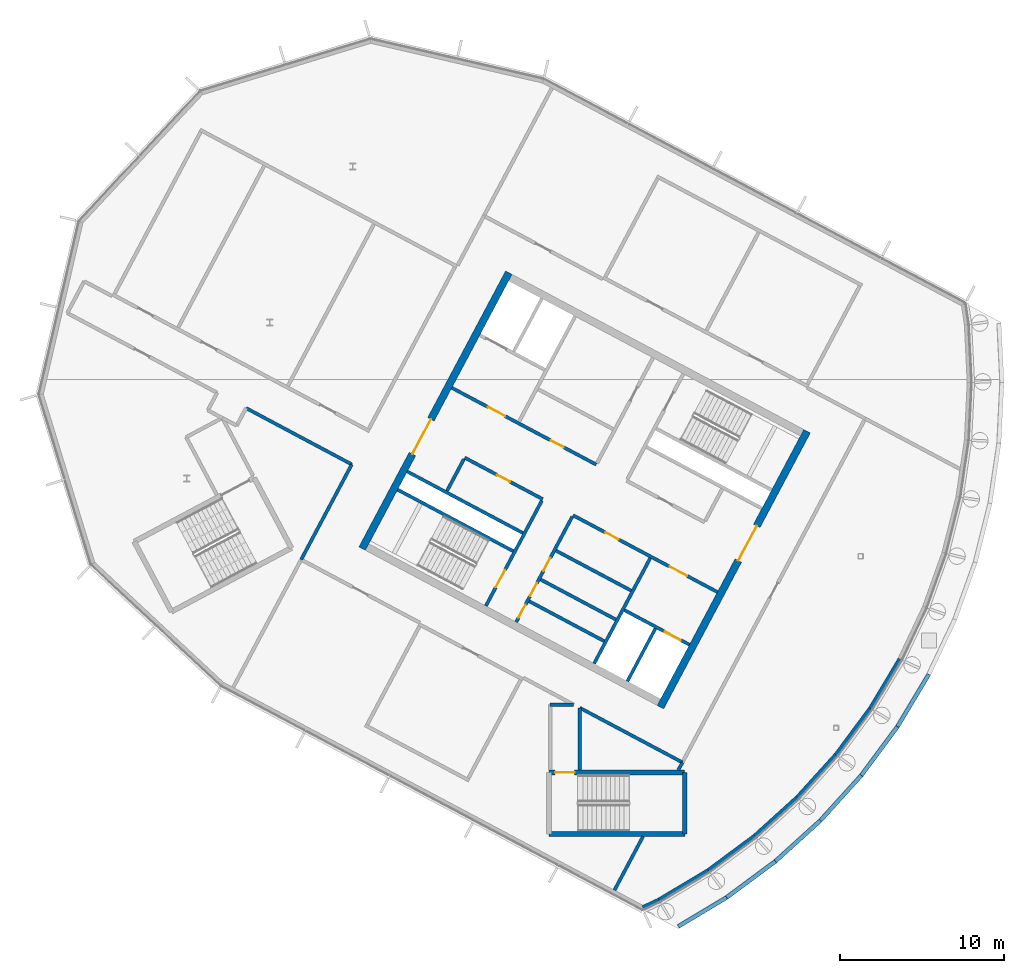
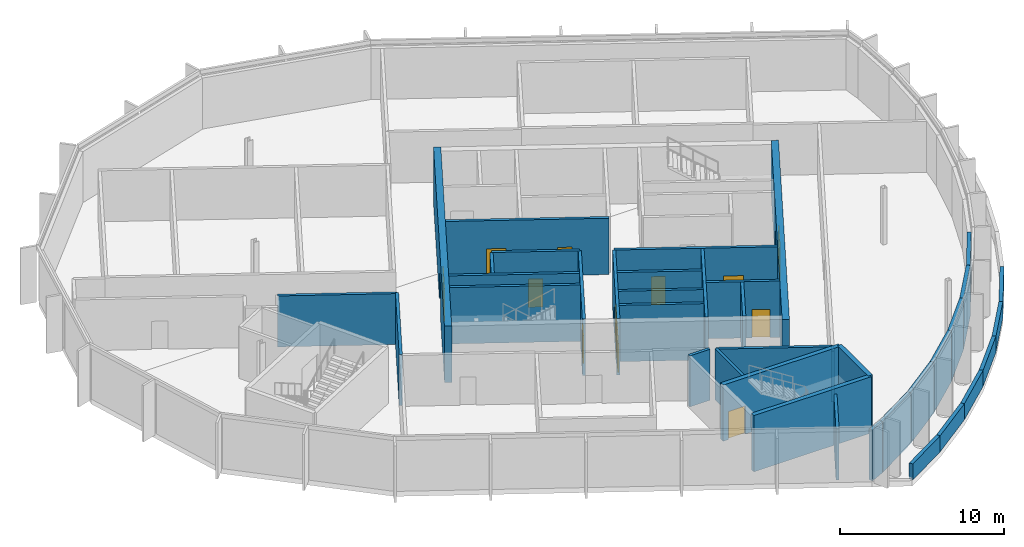
# One storey, part 6 of 12: 39 walls, 13 doors, 13 openings.
"""IFC4 building model written with IfcOpenShell, lengths in metres."""

import ifcopenshell
import ifcopenshell.guid

model = None  # the IFC model being written
_history = None  # IfcOwnerHistory: only IFC2X3 demands one
_inside = {}  # id of a spatial element -> (the spatial element, [elements in it])
_under = {}  # id of a project, library or spatial element -> (it, [spatial elements below it])
_declared = {}  # id of a project -> (the project, [libraries it declares])
_typed = {}  # id of a type object -> (the type object, [elements of that type])
_made_of = {}  # id of a material, layer set ... -> (it, [elements and type objects made of it])


def new_model(schema):
    """Start an empty IFC model of exactly this schema.

    Asked for "IFC4X3", IfcOpenShell would pick the latest addendum, in which some entities
    have other attributes; the version numbers below select the first issue.
    IFC2X3 requires an IfcOwnerHistory on every rooted entity: one is made here for all.
    """
    global model, _history
    if schema == "IFC4X3":
        model = ifcopenshell.file(schema_version=(4, 3, 0, 0))
    else:
        model = ifcopenshell.file(schema=schema)
    _inside.clear()
    _under.clear()
    _declared.clear()
    _typed.clear()
    _made_of.clear()
    _history = None
    if model.schema == "IFC2X3":
        org = make("IfcOrganization", Name="unknown")
        user = make(
            "IfcPersonAndOrganization",
            ThePerson=make("IfcPerson", FamilyName="unknown"),
            TheOrganization=org,
        )
        app = make(
            "IfcApplication",
            ApplicationDeveloper=org,
            Version="unknown",
            ApplicationFullName="unknown",
            ApplicationIdentifier="unknown",
        )
        _history = make(
            "IfcOwnerHistory",
            OwningUser=user,
            OwningApplication=app,
            ChangeAction="ADDED",
            CreationDate=0,
        )
    return model


def make(cls, **values):
    """One entity of the class cls with the attributes given. An attribute that is None is left unset."""
    return model.create_entity(
        cls, **{name: value for name, value in values.items() if value is not None}
    )


def rooted(cls, **values):
    """An entity with a GlobalId (a new one), such as an element, a storey or a relation."""
    return make(cls, GlobalId=ifcopenshell.guid.new(), OwnerHistory=_history, **values)


def si_unit(unit_type, name, prefix=None):
    """IfcSIUnit, for example si_unit("LENGTHUNIT", "METRE", prefix="MILLI")."""
    return make("IfcSIUnit", UnitType=unit_type, Prefix=prefix, Name=name)


def assignment(units):
    """IfcUnitAssignment: the units of a project."""
    return None if units is None else make("IfcUnitAssignment", Units=units)


def point(xyz):
    """IfcCartesianPoint."""
    return None if xyz is None else make("IfcCartesianPoint", Coordinates=xyz)


def direction(xyz):
    """IfcDirection."""
    return None if xyz is None else make("IfcDirection", DirectionRatios=xyz)


def frame(location, z_axis=None, x_axis=None):
    """IfcAxis2Placement3D, a coordinate frame: its origin and axes. An axis left out is left unset."""
    return make(
        "IfcAxis2Placement3D",
        Location=point(location),
        Axis=direction(z_axis),
        RefDirection=direction(x_axis),
    )


def frame_2d(location, x_axis=None):
    """IfcAxis2Placement2D, a coordinate frame in the plane: its origin and x axis."""
    return make(
        "IfcAxis2Placement2D", Location=point(location), RefDirection=direction(x_axis)
    )


def origin():
    """The frame at (0, 0, 0) with its axes left unset."""
    return frame((0.0, 0.0, 0.0))


def place(relative_to, where):
    """IfcLocalPlacement: puts the frame where relative to a parent placement (None: the world)."""
    return make(
        "IfcLocalPlacement", PlacementRelTo=relative_to, RelativePlacement=where
    )


def context(
    kind, dimensions, precision=None, world=None, true_north=None, identifier=None
):
    """IfcGeometricRepresentationContext, for example the 3D "Model" context."""
    return make(
        "IfcGeometricRepresentationContext",
        ContextIdentifier=identifier,
        ContextType=kind,
        CoordinateSpaceDimension=dimensions,
        Precision=precision,
        WorldCoordinateSystem=world,
        TrueNorth=true_north,
    )


def subcontext(parent, identifier, kind, view, scale=None):
    """IfcGeometricRepresentationSubContext, for example "Body" below "Model"."""
    return make(
        "IfcGeometricRepresentationSubContext",
        ContextIdentifier=identifier,
        ContextType=kind,
        ParentContext=parent,
        TargetScale=scale,
        TargetView=view,
    )


def project(units=None, contexts=None):
    """IfcProject with its units and contexts."""
    return rooted(
        "IfcProject",
        Name="project",
        RepresentationContexts=contexts,
        UnitsInContext=assignment(units),
    )


def spatial(cls, under=None, at=None, **own):
    """A site, building, storey or space (cls), placed at a placement, below another one or the project."""
    s = rooted(cls, ObjectPlacement=at, **own)
    if under is not None:
        _under.setdefault(under.id(), (under, []))[1].append(s)
    return s


def profile(cls, at=None, kind="AREA", **sizes):
    """A parametric profile (cls). Its sizes go by their IFC names, for example OverallWidth=200.0."""
    return make(cls, ProfileType=kind, Position=at, **sizes)


def rectangle(**sizes):
    """IfcRectangleProfileDef."""
    return profile("IfcRectangleProfileDef", **sizes)


def extrude(swept, where, along, depth):
    """IfcExtrudedAreaSolid: the profile swept, set in the frame where, extruded along a direction by depth."""
    return make(
        "IfcExtrudedAreaSolid",
        SweptArea=swept,
        Position=where,
        ExtrudedDirection=direction(along),
        Depth=depth,
    )


def shape(context_of_items, identifier, shape_type, items):
    """IfcShapeRepresentation: the items that make up one representation, for example the "Body"."""
    return make(
        "IfcShapeRepresentation",
        ContextOfItems=context_of_items,
        RepresentationIdentifier=identifier,
        RepresentationType=shape_type,
        Items=items,
    )


def material(Name=None, Category=None):
    """IfcMaterial."""
    return make("IfcMaterial", Name=Name, Category=Category)


def layer(
    of_material, thickness, ventilated=None, Name=None, Category=None, Priority=None
):
    """IfcMaterialLayer: one layer of a wall or slab, of a material (None: an air gap)."""
    return make(
        "IfcMaterialLayer",
        Material=of_material,
        LayerThickness=thickness,
        IsVentilated=ventilated,
        Name=Name,
        Category=Category,
        Priority=Priority,
    )


def layer_set(layers, Name=None):
    """IfcMaterialLayerSet."""
    return make("IfcMaterialLayerSet", MaterialLayers=layers, LayerSetName=Name)


def made_of(thing, what):
    """Note that an element or type object is made of a material, layer set ...; save() writes the relation."""
    if what is not None:
        _made_of.setdefault(what.id(), (what, []))[1].append(thing)
    return thing


def type_object(cls, material=None, **own):
    """A type object (cls), such as IfcWallType, which elements share."""
    return made_of(rooted(cls, **own), material)


def element(
    cls,
    number,
    at=None,
    inside=None,
    cuts=None,
    type_object=None,
    material=None,
    context=None,
    identifier="Body",
    shape_type=None,
    held_by="IfcProductDefinitionShape",
    body=None,
    shapes=None,
    **own,
):
    """One element of the class cls, such as IfcWall. Its Tag is "e" and its number.

    at: its placement. inside: the storey or other place that contains it. cuts: it is an
    opening in that element (IfcRelVoidsElement). A single representation is given by context,
    identifier, shape_type and body (its items); several are given by shapes. held_by: the class
    of the entity that holds the representations. save() writes the other relations.
    """
    e = rooted(cls, Tag="e%d" % number, ObjectPlacement=at, **own)
    if body is not None:
        shapes = [shape(context, identifier, shape_type, body)]
    if shapes is not None:
        e.Representation = make(held_by, Representations=shapes)
    if inside is not None:
        _inside.setdefault(inside.id(), (inside, []))[1].append(e)
    if cuts is not None:
        rooted(
            "IfcRelVoidsElement", RelatingBuildingElement=cuts, RelatedOpeningElement=e
        )
    if type_object is not None:
        _typed.setdefault(type_object.id(), (type_object, []))[1].append(e)
    return made_of(e, material)


def fill(opening, filler):
    """IfcRelFillsElement: the door or window that sits in an opening."""
    return rooted(
        "IfcRelFillsElement",
        RelatingOpeningElement=opening,
        RelatedBuildingElement=filler,
    )


def aggregate(whole, parts):
    """IfcRelAggregates: a whole, such as a stair, and the parts it consists of."""
    return rooted("IfcRelAggregates", RelatingObject=whole, RelatedObjects=parts)


def save(model, path):
    """Write the relations noted so far, then the file.

    IfcRelAggregates (storeys below a building ...), IfcRelContainedInSpatialStructure (elements
    in a storey), IfcRelDefinesByType, IfcRelAssociatesMaterial and IfcRelDeclares: one each for
    every whole, place, type object, material and project.
    """
    for whole, parts in _under.values():
        aggregate(whole, parts)
    for where, things in _inside.values():
        rooted(
            "IfcRelContainedInSpatialStructure",
            RelatedElements=things,
            RelatingStructure=where,
        )
    for kind, things in _typed.values():
        rooted("IfcRelDefinesByType", RelatedObjects=things, RelatingType=kind)
    for what, things in _made_of.values():
        rooted("IfcRelAssociatesMaterial", RelatedObjects=things, RelatingMaterial=what)
    for by, libraries in _declared.values():
        rooted("IfcRelDeclares", RelatingContext=by, RelatedDefinitions=libraries)
    model.write(path)


model = new_model("IFC4")

# Units and contexts
model_context = context("Model", 3, precision=1e-05, world=origin(), true_north=direction((0.0, 1.0)))
body_context = subcontext(model_context, "Body", "Model", "MODEL_VIEW")
ifc_project = project(units=[si_unit("LENGTHUNIT", "METRE"), si_unit("AREAUNIT", "SQUARE_METRE"), si_unit("VOLUMEUNIT", "CUBIC_METRE"), si_unit("PLANEANGLEUNIT", "RADIAN"), si_unit("MASSUNIT", "GRAM", prefix="KILO")], contexts=[model_context])

# Site, building, storey
site_placement = place(None, origin())
site = spatial("IfcSite", under=ifc_project, at=site_placement, CompositionType="ELEMENT")
building_placement = place(site_placement, origin())
building = spatial("IfcBuilding", under=site, at=building_placement, Name="Cormorant Relay Tower", CompositionType="ELEMENT")
storey_placement = place(building_placement, frame((0.0, 0.0, 349.199951171875)))
storey = spatial("IfcBuildingStorey", under=building, at=storey_placement, Name="C6", CompositionType="ELEMENT", Elevation=349.199951171875)

# Walls
ifc_material_1 = material(Name="Concrete 40 MPa", Category="concrete")
ifc_layer_1 = layer(ifc_material_1, 0.199951171875)
ifc_layer_set_1 = layer_set([ifc_layer_1], Name="Core internal wall 200")
wall_type_1 = type_object("IfcWallType", Name="Core internal wall 200", PredefinedType="SOLIDWALL", material=ifc_layer_set_1)
for number, where, z_axis, x_axis, name in (
    (1, (-25.46728515625, 6.632568359375, 0.0), (0.0, 0.0, 1.0), (-0.882953967957, 0.469459572775, 0.0), "C6 core A shaft and room wall"),
    (2, (-26.17138671875, 5.30810546875, 0.0), (0.0, 0.0, 1.0), (-0.882953967957, 0.469459572775, 0.0), "C6 core A shaft and room wall"),
):
    element("IfcWall", number, at=place(storey_placement, frame(where, z_axis=z_axis, x_axis=x_axis)), inside=storey, type_object=wall_type_1, Name=name, PredefinedType="SOLIDWALL", context=body_context, shape_type="SweptSolid", body=[
        extrude(rectangle(XDim=5.199951171875, YDim=0.199951171875, at=frame_2d((2.60009765625, 0.0))), origin(), (0.0, 0.0, 1.0), 4.199951171875),
    ])
ifc_material_2 = material(Name="Concrete 50 MPa", Category="concrete")
ifc_layer_2 = layer(ifc_material_2, 0.199951171875)
ifc_layer_set_2 = layer_set([ifc_layer_2], Name="Core shaft wall 200")
wall_type_2 = type_object("IfcWallType", Name="Core shaft wall 200", PredefinedType="SHEAR", material=ifc_layer_set_2)
wall_1_placement = place(storey_placement, frame((-23.04296875, 6.07958984375, 0.0), z_axis=(0.0, 0.0, 1.0), x_axis=(-0.469494272526, -0.882935517501, 0.0)))
element("IfcWall", 3, at=wall_1_placement, inside=storey, type_object=wall_type_2, Name="C6 core A shaft wall", PredefinedType="SHEAR", context=body_context, shape_type="SweptSolid", body=[
    extrude(rectangle(XDim=3.64990234375, YDim=0.199951171875, at=frame_2d((1.824951171875, 0.0))), origin(), (0.0, 0.0, 1.0), 4.199951171875),
])
wall_2_placement = place(storey_placement, frame((-23.360107421875, 10.38232421875, 0.0), z_axis=(0.0, 0.0, 1.0), x_axis=(-0.469480409012, -0.88294288918, 0.0)))
element("IfcWall", 4, at=wall_2_placement, inside=storey, type_object=wall_type_2, Name="C6 core A shaft wall", PredefinedType="SHEAR", context=body_context, shape_type="SweptSolid", body=[
    extrude(rectangle(XDim=7.300048828125, YDim=0.199951171875, at=frame_2d((3.64990234375, 0.0))), origin(), (0.0, 0.0, 1.0), 4.199951171875),
])

# Wall, openings, doors
wall_3_placement = place(storey_placement, frame((-28.128173828125, 12.91748046875, 0.0), z_axis=(0.0, 0.0, 1.0), x_axis=(-0.469454336211, -0.882956752176, 0.0)))
wall_3 = element("IfcWall", 5, at=wall_3_placement, inside=storey, type_object=wall_type_2, Name="C6 core A shaft wall", PredefinedType="SHEAR", context=body_context, shape_type="SweptSolid", body=[
    extrude(rectangle(XDim=7.300048828125, YDim=0.199951171875, at=frame_2d((3.64990234375, 0.0))), origin(), (0.0, 0.0, 1.0), 4.199951171875),
])
opening_1_placement = place(wall_3_placement, frame((2.85009765625, 0.0, 0.0)))
opening_1 = element("IfcOpeningElement", 6, at=opening_1_placement, cuts=wall_3, Name="Opening CDD-367", PredefinedType="OPENING", context=body_context, shape_type="SweptSolid", body=[
    extrude(rectangle(XDim=0.89990234375, YDim=2.10009765625, at=frame_2d((0.449951171875, 1.050048828125))), frame((0.0, 0.10986328125, 0.0), z_axis=(0.0, -1.0, 0.0), x_axis=(1.0, 0.0, 0.0)), (0.0, 0.0, 1.0), 0.219970703125),
])
opening_2_placement = place(wall_3_placement, frame((4.60009765625, 0.0, 0.0)))
opening_2 = element("IfcOpeningElement", 7, at=opening_2_placement, cuts=wall_3, Name="Opening CDD-391", PredefinedType="OPENING", context=body_context, shape_type="SweptSolid", body=[
    extrude(rectangle(XDim=0.89990234375, YDim=2.10009765625, at=frame_2d((0.449951171875, 1.050048828125))), frame((0.0, 0.10986328125, 0.0), z_axis=(0.0, -1.0, 0.0), x_axis=(1.0, 0.0, 0.0)), (0.0, 0.0, 1.0), 0.219970703125),
])
opening_3_placement = place(wall_3_placement, frame((6.10009765625, 0.0, 0.0)))
opening_3 = element("IfcOpeningElement", 8, at=opening_3_placement, cuts=wall_3, Name="Opening CDD-392", PredefinedType="OPENING", context=body_context, shape_type="SweptSolid", body=[
    extrude(rectangle(XDim=0.89990234375, YDim=2.10009765625, at=frame_2d((0.449951171875, 1.050048828125))), frame((0.0, 0.10986328125, 0.0), z_axis=(0.0, -1.0, 0.0), x_axis=(1.0, 0.0, 0.0)), (0.0, 0.0, 1.0), 0.219970703125),
])
ifc_material_3 = material(Name="Steel fire door", Category="steel")
door_type_1 = type_object("IfcDoorType", Name="Core room door 900x2100", OperationType="SINGLE_SWING_LEFT", PredefinedType="DOOR", material=ifc_material_3)
door_1_placement = place(opening_1_placement, origin())
door_1 = element("IfcDoor", 9, at=door_1_placement, inside=storey, type_object=door_type_1, Name="Core room door 900x2100", OperationType="SINGLE_SWING_LEFT", OverallHeight=2.10009765625, OverallWidth=0.89990234375, PredefinedType="DOOR", context=body_context, shape_type="SweptSolid", body=[
    extrude(rectangle(XDim=0.89990234375, YDim=2.10009765625, at=frame_2d((0.449951171875, 1.050048828125))), frame((0.0, 0.02490234375, 0.0), z_axis=(0.0, -1.0, 0.0), x_axis=(1.0, 0.0, 0.0)), (0.0, 0.0, 1.0), 0.050048828125),
])
fill(opening_1, door_1)
door_2_placement = place(opening_2_placement, origin())
door_2 = element("IfcDoor", 10, at=door_2_placement, inside=storey, type_object=door_type_1, Name="Core room door 900x2100", OperationType="SINGLE_SWING_LEFT", OverallHeight=2.10009765625, OverallWidth=0.89990234375, PredefinedType="DOOR", context=body_context, shape_type="SweptSolid", body=[
    extrude(rectangle(XDim=0.89990234375, YDim=2.10009765625, at=frame_2d((0.449951171875, 1.050048828125))), frame((0.0, 0.02490234375, 0.0), z_axis=(0.0, -1.0, 0.0), x_axis=(1.0, 0.0, 0.0)), (0.0, 0.0, 1.0), 0.050048828125),
])
fill(opening_2, door_2)
door_3_placement = place(opening_3_placement, origin())
door_3 = element("IfcDoor", 11, at=door_3_placement, inside=storey, type_object=door_type_1, Name="Core room door 900x2100", OperationType="SINGLE_SWING_LEFT", OverallHeight=2.10009765625, OverallWidth=0.89990234375, PredefinedType="DOOR", context=body_context, shape_type="SweptSolid", body=[
    extrude(rectangle(XDim=0.89990234375, YDim=2.10009765625, at=frame_2d((0.449951171875, 1.050048828125))), frame((0.0, 0.02490234375, 0.0), z_axis=(0.0, -1.0, 0.0), x_axis=(1.0, 0.0, 0.0)), (0.0, 0.0, 1.0), 0.050048828125),
])
fill(opening_3, door_3)

# Wall, opening, door
wall_4_placement = place(storey_placement, frame((-29.982421875, 13.9033203125, 0.0), z_axis=(0.0, 0.0, 1.0), x_axis=(-0.469454336211, -0.882956752176, 0.0)))
wall_4 = element("IfcWall", 12, at=wall_4_placement, inside=storey, type_object=wall_type_2, Name="C6 core A shaft wall", PredefinedType="SHEAR", context=body_context, shape_type="SweptSolid", body=[
    extrude(rectangle(XDim=7.300048828125, YDim=0.199951171875, at=frame_2d((3.64990234375, 0.0))), origin(), (0.0, 0.0, 1.0), 4.199951171875),
])
opening_4_placement = place(wall_4_placement, frame((4.800048828125, 0.0, 0.0)))
opening_4 = element("IfcOpeningElement", 13, at=opening_4_placement, cuts=wall_4, Name="Opening CDB-045", PredefinedType="OPENING", context=body_context, shape_type="SweptSolid", body=[
    extrude(rectangle(XDim=1.199951171875, YDim=2.10009765625, at=frame_2d((0.60009765625, 1.050048828125))), frame((0.0, 0.10986328125, 0.0), z_axis=(0.0, -1.0, 0.0), x_axis=(1.0, 0.0, 0.0)), (0.0, 0.0, 1.0), 0.219970703125),
])
ifc_material_4 = material(Name="Steel fire door", Category="steel")
door_type_2 = type_object("IfcDoorType", Name="Core stair door 1200x2100", OperationType="SINGLE_SWING_LEFT", PredefinedType="DOOR", material=ifc_material_4)
door_4_placement = place(opening_4_placement, frame((1.199951171875, 0.0, 0.0), z_axis=(0.0, 0.0, 1.0), x_axis=(-1.0, 0.0, 0.0)))
door_4 = element("IfcDoor", 14, at=door_4_placement, inside=storey, type_object=door_type_2, Name="Core stair door 1200x2100", OperationType="SINGLE_SWING_RIGHT", OverallHeight=2.10009765625, OverallWidth=1.199951171875, PredefinedType="DOOR", context=body_context, shape_type="SweptSolid", body=[
    extrude(rectangle(XDim=1.199951171875, YDim=2.10009765625, at=frame_2d((0.60009765625, 1.050048828125))), frame((0.0, 0.02490234375, 0.0), z_axis=(0.0, -1.0, 0.0), x_axis=(1.0, 0.0, 0.0)), (0.0, 0.0, 1.0), 0.050048828125),
])
fill(opening_4, door_4)

# Wall
wall_5_placement = place(storey_placement, frame((-34.750244140625, 16.4384765625, 0.0), z_axis=(0.0, 0.0, 1.0), x_axis=(-0.469401318492, -0.882984938828, 0.0)))
element("IfcWall", 15, at=wall_5_placement, inside=storey, type_object=wall_type_2, Name="C6 core A shaft wall", PredefinedType="SHEAR", context=body_context, shape_type="SweptSolid", body=[
    extrude(rectangle(XDim=2.199951171875, YDim=0.199951171875, at=frame_2d((1.10009765625, 0.0))), origin(), (0.0, 0.0, 1.0), 4.199951171875),
])

# Wall, openings, doors
wall_6_placement = place(storey_placement, frame((-26.66162109375, 16.1015625, 0.0), z_axis=(0.0, 0.0, 1.0), x_axis=(-0.882940221191, 0.469485426614, 0.0)))
wall_6 = element("IfcWall", 16, at=wall_6_placement, inside=storey, type_object=wall_type_2, Name="C6 core A shaft wall", PredefinedType="SHEAR", context=body_context, shape_type="SweptSolid", body=[
    extrude(rectangle(XDim=10.0, YDim=0.199951171875, at=frame_2d((5.0, 0.0))), origin(), (0.0, 0.0, 1.0), 4.199951171875),
])
opening_5_placement = place(wall_6_placement, frame((6.300048828125, 0.0, 0.0)))
opening_5 = element("IfcOpeningElement", 17, at=opening_5_placement, cuts=wall_6, Name="Opening CDC-041", PredefinedType="OPENING", context=body_context, shape_type="SweptSolid", body=[
    extrude(rectangle(XDim=1.199951171875, YDim=2.10009765625, at=frame_2d((0.60009765625, 1.050048828125))), frame((0.0, 0.10986328125, 0.0), z_axis=(0.0, -1.0, 0.0), x_axis=(1.0, 0.0, 0.0)), (0.0, 0.0, 1.0), 0.219970703125),
])
opening_6_placement = place(wall_6_placement, frame((2.25, 0.0, 0.0)))
opening_6 = element("IfcOpeningElement", 18, at=opening_6_placement, cuts=wall_6, Name="Opening CDD-366", PredefinedType="OPENING", context=body_context, shape_type="SweptSolid", body=[
    extrude(rectangle(XDim=0.89990234375, YDim=2.10009765625, at=frame_2d((0.449951171875, 1.050048828125))), frame((0.0, 0.10986328125, 0.0), z_axis=(0.0, -1.0, 0.0), x_axis=(1.0, 0.0, 0.0)), (0.0, 0.0, 1.0), 0.219970703125),
])
ifc_material_5 = material(Name="Steel fire door", Category="steel")
door_type_3 = type_object("IfcDoorType", Name="Core lobby door 1200x2100", OperationType="SINGLE_SWING_LEFT", PredefinedType="DOOR", material=ifc_material_5)
door_5_placement = place(opening_5_placement, origin())
door_5 = element("IfcDoor", 19, at=door_5_placement, inside=storey, type_object=door_type_3, Name="Core lobby door 1200x2100", OperationType="SINGLE_SWING_LEFT", OverallHeight=2.10009765625, OverallWidth=1.199951171875, PredefinedType="DOOR", context=body_context, shape_type="SweptSolid", body=[
    extrude(rectangle(XDim=1.199951171875, YDim=2.10009765625, at=frame_2d((0.60009765625, 1.050048828125))), frame((0.0, 0.02490234375, 0.0), z_axis=(0.0, -1.0, 0.0), x_axis=(1.0, 0.0, 0.0)), (0.0, 0.0, 1.0), 0.050048828125),
])
fill(opening_5, door_5)
door_6_placement = place(opening_6_placement, origin())
door_6 = element("IfcDoor", 20, at=door_6_placement, inside=storey, type_object=door_type_1, Name="Core room door 900x2100", OperationType="SINGLE_SWING_LEFT", OverallHeight=2.10009765625, OverallWidth=0.89990234375, PredefinedType="DOOR", context=body_context, shape_type="SweptSolid", body=[
    extrude(rectangle(XDim=0.89990234375, YDim=2.10009765625, at=frame_2d((0.449951171875, 1.050048828125))), frame((0.0, 0.02490234375, 0.0), z_axis=(0.0, -1.0, 0.0), x_axis=(1.0, 0.0, 0.0)), (0.0, 0.0, 1.0), 0.050048828125),
])
fill(opening_6, door_6)

wall_7_placement = place(storey_placement, frame((-19.251708984375, 8.31103515625, 0.0), z_axis=(0.0, 0.0, 1.0), x_axis=(-0.882955722218, 0.469456273365, 0.0)))
wall_7 = element("IfcWall", 21, at=wall_7_placement, inside=storey, type_object=wall_type_2, Name="C6 core A shaft wall", PredefinedType="SHEAR", context=body_context, shape_type="SweptSolid", body=[
    extrude(rectangle(XDim=10.0, YDim=0.199951171875, at=frame_2d((5.0, 0.0))), origin(), (0.0, 0.0, 1.0), 4.199951171875),
])
opening_7_placement = place(wall_7_placement, frame((2.10009765625, 0.0, 0.0)))
opening_7 = element("IfcOpeningElement", 22, at=opening_7_placement, cuts=wall_7, Name="Opening CDC-040", PredefinedType="OPENING", context=body_context, shape_type="SweptSolid", body=[
    extrude(rectangle(XDim=1.199951171875, YDim=2.10009765625, at=frame_2d((0.60009765625, 1.050048828125))), frame((0.0, 0.10986328125, 0.0), z_axis=(0.0, -1.0, 0.0), x_axis=(1.0, 0.0, 0.0)), (0.0, 0.0, 1.0), 0.219970703125),
])
opening_8_placement = place(wall_7_placement, frame((6.85009765625, 0.0, 0.0)))
opening_8 = element("IfcOpeningElement", 23, at=opening_8_placement, cuts=wall_7, Name="Opening CDD-363", PredefinedType="OPENING", context=body_context, shape_type="SweptSolid", body=[
    extrude(rectangle(XDim=0.89990234375, YDim=2.10009765625, at=frame_2d((0.449951171875, 1.050048828125))), frame((0.0, 0.10986328125, 0.0), z_axis=(0.0, -1.0, 0.0), x_axis=(1.0, 0.0, 0.0)), (0.0, 0.0, 1.0), 0.219970703125),
])
door_7_placement = place(opening_7_placement, origin())
door_7 = element("IfcDoor", 24, at=door_7_placement, inside=storey, type_object=door_type_3, Name="Core lobby door 1200x2100", OperationType="SINGLE_SWING_RIGHT", OverallHeight=2.10009765625, OverallWidth=1.199951171875, PredefinedType="DOOR", context=body_context, shape_type="SweptSolid", body=[
    extrude(rectangle(XDim=1.199951171875, YDim=2.10009765625, at=frame_2d((0.60009765625, 1.050048828125))), frame((0.0, 0.02490234375, 0.0), z_axis=(0.0, -1.0, 0.0), x_axis=(1.0, 0.0, 0.0)), (0.0, 0.0, 1.0), 0.050048828125),
])
fill(opening_7, door_7)
door_8_placement = place(opening_8_placement, origin())
door_8 = element("IfcDoor", 25, at=door_8_placement, inside=storey, type_object=door_type_1, Name="Core room door 900x2100", OperationType="SINGLE_SWING_LEFT", OverallHeight=2.10009765625, OverallWidth=0.89990234375, PredefinedType="DOOR", context=body_context, shape_type="SweptSolid", body=[
    extrude(rectangle(XDim=0.89990234375, YDim=2.10009765625, at=frame_2d((0.449951171875, 1.050048828125))), frame((0.0, 0.02490234375, 0.0), z_axis=(0.0, -1.0, 0.0), x_axis=(1.0, 0.0, 0.0)), (0.0, 0.0, 1.0), 0.050048828125),
])
fill(opening_8, door_8)

# Wall, opening, door
wall_8_placement = place(storey_placement, frame((-29.935302734375, 13.991455078125, 0.0), z_axis=(0.0, 0.0, 1.0), x_axis=(-0.882952937579, 0.469461510692, 0.0)))
wall_8 = element("IfcWall", 26, at=wall_8_placement, inside=storey, type_object=wall_type_2, Name="C6 core A shaft wall", PredefinedType="SHEAR", context=body_context, shape_type="SweptSolid", body=[
    extrude(rectangle(XDim=5.400146484375, YDim=0.199951171875, at=frame_2d((2.7001953125, 0.0))), origin(), (0.0, 0.0, 1.0), 4.199951171875),
])
opening_9_placement = place(wall_8_placement, frame((2.25, 0.0, 0.0)))
opening_9 = element("IfcOpeningElement", 27, at=opening_9_placement, cuts=wall_8, Name="Opening CDD-364", PredefinedType="OPENING", context=body_context, shape_type="SweptSolid", body=[
    extrude(rectangle(XDim=0.89990234375, YDim=2.10009765625, at=frame_2d((0.449951171875, 1.050048828125))), frame((0.0, 0.10986328125, 0.0), z_axis=(0.0, -1.0, 0.0), x_axis=(1.0, 0.0, 0.0)), (0.0, 0.0, 1.0), 0.219970703125),
])
door_9_placement = place(opening_9_placement, origin())
door_9 = element("IfcDoor", 28, at=door_9_placement, inside=storey, type_object=door_type_1, Name="Core room door 900x2100", OperationType="SINGLE_SWING_LEFT", OverallHeight=2.10009765625, OverallWidth=0.89990234375, PredefinedType="DOOR", context=body_context, shape_type="SweptSolid", body=[
    extrude(rectangle(XDim=0.89990234375, YDim=2.10009765625, at=frame_2d((0.449951171875, 1.050048828125))), frame((0.0, 0.02490234375, 0.0), z_axis=(0.0, -1.0, 0.0), x_axis=(1.0, 0.0, 0.0)), (0.0, 0.0, 1.0), 0.050048828125),
])
fill(opening_9, door_9)

# Walls
wall_9_placement = place(storey_placement, frame((-24.5283203125, 8.3984375, 0.0), z_axis=(0.0, 0.0, 1.0), x_axis=(-0.882953967957, 0.469459572775, 0.0)))
element("IfcWall", 29, at=wall_9_placement, inside=storey, type_object=wall_type_2, Name="C6 core A shaft wall", PredefinedType="SHEAR", context=body_context, shape_type="SweptSolid", body=[
    extrude(rectangle(XDim=5.199951171875, YDim=0.199951171875, at=frame_2d((2.60009765625, 0.0))), origin(), (0.0, 0.0, 1.0), 4.199951171875),
])
wall_10_placement = place(storey_placement, frame((-31.150390625, 11.91943359375, 0.0), z_axis=(0.0, 0.0, 1.0), x_axis=(-0.882940221191, 0.469485426614, 0.0)))
element("IfcWall", 30, at=wall_10_placement, inside=storey, type_object=wall_type_2, Name="C6 core A shaft wall", PredefinedType="SHEAR", context=body_context, shape_type="SweptSolid", body=[
    extrude(rectangle(XDim=8.0, YDim=0.199951171875, at=frame_2d((4.0, 0.0))), origin(), (0.0, 0.0, 1.0), 4.199951171875),
])

# Wall, opening, door
wall_11_placement = place(storey_placement, frame((-20.96533203125, 5.088134765625, 0.0), z_axis=(0.0, 0.0, 1.0), x_axis=(-0.882925986334, 0.469512196493, 0.0)))
wall_11 = element("IfcWall", 31, at=wall_11_placement, inside=storey, type_object=wall_type_2, Name="C6 core A shaft wall", PredefinedType="SHEAR", context=body_context, shape_type="SweptSolid", body=[
    extrude(rectangle(XDim=4.5, YDim=0.199951171875, at=frame_2d((2.25, 0.0))), origin(), (0.0, 0.0, 1.0), 4.199951171875),
])
opening_10_placement = place(wall_11_placement, frame((0.60009765625, 0.0, 0.0)))
opening_10 = element("IfcOpeningElement", 32, at=opening_10_placement, cuts=wall_11, Name="Opening LD1-069", PredefinedType="OPENING", context=body_context, shape_type="SweptSolid", body=[
    extrude(rectangle(XDim=1.10009765625, YDim=2.10009765625, at=frame_2d((0.550048828125, 1.050048828125))), frame((0.0, 0.10986328125, 0.0), z_axis=(0.0, -1.0, 0.0), x_axis=(1.0, 0.0, 0.0)), (0.0, 0.0, 1.0), 0.219970703125),
])
ifc_material_6 = material(Name="Stainless steel 316", Category="steel")
door_type_4 = type_object("IfcDoorType", Name="Lift landing door 1100x2100", OperationType="DOUBLE_DOOR_SLIDING", PredefinedType="DOOR", material=ifc_material_6)
door_10_placement = place(opening_10_placement, origin())
door_10 = element("IfcDoor", 33, at=door_10_placement, inside=storey, type_object=door_type_4, Name="FF1 landing door", OperationType="DOUBLE_DOOR_SLIDING", OverallHeight=2.10009765625, OverallWidth=1.10009765625, PredefinedType="DOOR", context=body_context, shape_type="SweptSolid", body=[
    extrude(rectangle(XDim=1.10009765625, YDim=2.10009765625, at=frame_2d((0.550048828125, 1.050048828125))), frame((0.0, 0.02490234375, 0.0), z_axis=(0.0, -1.0, 0.0), x_axis=(1.0, 0.0, 0.0)), (0.0, 0.0, 1.0), 0.050048828125),
])
fill(opening_10, door_10)

# Wall
wall_12_placement = place(storey_placement, frame((-31.7373046875, 10.815673828125, 0.0), z_axis=(0.0, 0.0, 1.0), x_axis=(-0.882940221191, 0.469485426614, 0.0)))
element("IfcWall", 34, at=wall_12_placement, inside=storey, type_object=wall_type_2, Name="C6 core A shaft wall", PredefinedType="SHEAR", context=body_context, shape_type="SweptSolid", body=[
    extrude(rectangle(XDim=8.0, YDim=0.199951171875, at=frame_2d((4.0, 0.0))), origin(), (0.0, 0.0, 1.0), 4.199951171875),
])

# Wall, opening, door
ifc_material_7 = material(Name="Concrete 50 MPa", Category="concrete")
ifc_layer_3 = layer(ifc_material_7, 0.449951171875)
ifc_layer_set_3 = layer_set([ifc_layer_3], Name="Core wall 450")
wall_type_3 = type_object("IfcWallType", Name="Core wall 450", PredefinedType="SHEAR", material=ifc_layer_set_3)
wall_13_placement = place(storey_placement, frame((-13.771484375, 18.138427734375, 0.0), z_axis=(0.0, 0.0, 1.0), x_axis=(-0.469467968382, -0.882949504028, 0.0)))
wall_13 = element("IfcWall", 35, at=wall_13_placement, inside=storey, type_object=wall_type_3, Name="C6 core A wall", PredefinedType="SHEAR", context=body_context, shape_type="SweptSolid", body=[
    extrude(rectangle(XDim=19.099853515625, YDim=0.449951171875, at=frame_2d((9.5498046875, 0.0))), origin(), (0.0, 0.0, 1.0), 4.199951171875),
])
opening_11_placement = place(wall_13_placement, frame((6.550048828125, 0.0, 0.0)))
opening_11 = element("IfcOpeningElement", 36, at=opening_11_placement, cuts=wall_13, Name="Opening CDA-060", PredefinedType="OPENING", context=body_context, shape_type="SweptSolid", body=[
    extrude(rectangle(XDim=2.39990234375, YDim=2.39990234375, at=frame_2d((1.199951171875, 1.199951171875))), frame((0.0, 0.23486328125, 0.0), z_axis=(0.0, -1.0, 0.0), x_axis=(1.0, 0.0, 0.0)), (0.0, 0.0, 1.0), 0.469970703125),
])
ifc_material_8 = material(Name="Steel fire door", Category="steel")
door_type_5 = type_object("IfcDoorType", Name="Core lobby door 2400x2400", OperationType="DOUBLE_DOOR_SINGLE_SWING", PredefinedType="DOOR", material=ifc_material_8)
door_11_placement = place(opening_11_placement, origin())
door_11 = element("IfcDoor", 37, at=door_11_placement, inside=storey, type_object=door_type_5, Name="Core lobby door 2400x2400", OperationType="DOUBLE_DOOR_SINGLE_SWING", OverallHeight=2.39990234375, OverallWidth=2.39990234375, PredefinedType="DOOR", context=body_context, shape_type="SweptSolid", body=[
    extrude(rectangle(XDim=2.39990234375, YDim=2.39990234375, at=frame_2d((1.199951171875, 1.199951171875))), frame((0.0, 0.02490234375, 0.0), z_axis=(0.0, -1.0, 0.0), x_axis=(1.0, 0.0, 0.0)), (0.0, 0.0, 1.0), 0.050048828125),
])
fill(opening_11, door_11)

wall_14_placement = place(storey_placement, frame((-32.00439453125, 27.8330078125, 0.0), z_axis=(0.0, 0.0, 1.0), x_axis=(-0.469467968382, -0.882949504028, 0.0)))
wall_14 = element("IfcWall", 38, at=wall_14_placement, inside=storey, type_object=wall_type_3, Name="C6 core A wall", PredefinedType="SHEAR", context=body_context, shape_type="SweptSolid", body=[
    extrude(rectangle(XDim=19.099853515625, YDim=0.449951171875, at=frame_2d((9.5498046875, 0.0))), origin(), (0.0, 0.0, 1.0), 4.199951171875),
])
opening_12_placement = place(wall_14_placement, frame((10.14990234375, 0.0, 0.0)))
opening_12 = element("IfcOpeningElement", 39, at=opening_12_placement, cuts=wall_14, Name="Opening CDA-059", PredefinedType="OPENING", context=body_context, shape_type="SweptSolid", body=[
    extrude(rectangle(XDim=2.39990234375, YDim=2.39990234375, at=frame_2d((1.199951171875, 1.199951171875))), frame((0.0, 0.23486328125, 0.0), z_axis=(0.0, -1.0, 0.0), x_axis=(1.0, 0.0, 0.0)), (0.0, 0.0, 1.0), 0.469970703125),
])
door_12_placement = place(opening_12_placement, origin())
door_12 = element("IfcDoor", 40, at=door_12_placement, inside=storey, type_object=door_type_5, Name="Core lobby door 2400x2400", OperationType="DOUBLE_DOOR_SINGLE_SWING", OverallHeight=2.39990234375, OverallWidth=2.39990234375, PredefinedType="DOOR", context=body_context, shape_type="SweptSolid", body=[
    extrude(rectangle(XDim=2.39990234375, YDim=2.39990234375, at=frame_2d((1.199951171875, 1.199951171875))), frame((0.0, 0.02490234375, 0.0), z_axis=(0.0, -1.0, 0.0), x_axis=(1.0, 0.0, 0.0)), (0.0, 0.0, 1.0), 0.050048828125),
])
fill(opening_12, door_12)

# Walls
ifc_material_9 = material(Name="Concrete 30 MPa block wall", Category="concrete")
ifc_layer_4 = layer(ifc_material_9, 0.199951171875)
ifc_layer_set_4 = layer_set([ifc_layer_4], Name="Crown plant room wall 200")
wall_type_4 = type_object("IfcWallType", Name="Crown plant room wall 200", PredefinedType="PARTITIONING", material=ifc_layer_set_4)
wall_15_placement = place(storey_placement, frame((-44.701171875, 10.29052734375, 0.0), z_axis=(0.0, 0.0, 1.0), x_axis=(0.469444770229, 0.882961838193, 0.0)))
element("IfcWall", 41, at=wall_15_placement, inside=storey, type_object=wall_type_4, Name="Plant room wall", PredefinedType="PARTITIONING", context=body_context, shape_type="SweptSolid", body=[
    extrude(rectangle(XDim=6.595947265625, YDim=0.199951171875, at=frame_2d((3.2978515625, 0.0))), origin(), (0.0, 0.0, 1.0), 3.7998046875),
])
wall_16_placement = place(storey_placement, frame((-41.604736328125, 16.114501953125, 0.0), z_axis=(0.0, 0.0, 1.0), x_axis=(-0.88269432005, 0.469947590006, 0.0)))
element("IfcWall", 42, at=wall_16_placement, inside=storey, type_object=wall_type_4, Name="Plant room wall", PredefinedType="PARTITIONING", context=body_context, shape_type="SweptSolid", body=[
    extrude(rectangle(XDim=7.31982421875, YDim=0.199951171875, at=frame_2d((3.659912109375, 0.0))), origin(), (0.0, 0.0, 1.0), 3.7998046875),
])
wall_17_placement = place(storey_placement, frame((-21.391357421875, -2.103515625, 0.0), z_axis=(0.0, 0.0, 1.0), x_axis=(-0.882952949239, 0.469461488761, 0.0)))
element("IfcWall", 43, at=wall_17_placement, inside=storey, type_object=wall_type_4, Name="Plant room wall", PredefinedType="PARTITIONING", context=body_context, shape_type="SweptSolid", body=[
    extrude(rectangle(XDim=7.110107421875, YDim=0.199951171875, at=frame_2d((3.55517578125, 0.0))), origin(), (0.0, 0.0, 1.0), 3.7998046875),
])
wall_18_placement = place(storey_placement, frame((-27.669189453125, 1.234375, 0.0), z_axis=(0.0, 0.0, 1.0), x_axis=(-0.001538163918, -0.999998817025, 0.0)))
element("IfcWall", 44, at=wall_18_placement, inside=storey, type_object=wall_type_4, Name="Plant room wall", PredefinedType="PARTITIONING", context=body_context, shape_type="SweptSolid", body=[
    extrude(rectangle(XDim=3.809326171875, YDim=0.199951171875, at=frame_2d((1.90478515625, 0.0))), origin(), (0.0, 0.0, 1.0), 3.7998046875),
])
wall_19_placement = place(storey_placement, frame((-29.47509765625, 1.4248046875, 0.0), z_axis=(0.0, 0.0, 1.0), x_axis=(0.999999985454, 0.000170561144, 0.0)))
element("IfcWall", 45, at=wall_19_placement, inside=storey, type_object=wall_type_4, Name="Plant room wall", PredefinedType="PARTITIONING", context=body_context, shape_type="SweptSolid", body=[
    extrude(rectangle(XDim=1.431396484375, YDim=0.199951171875, at=frame_2d((0.7158203125, 0.0))), origin(), (0.0, 0.0, 1.0), 3.7998046875),
])
wall_20_placement = place(storey_placement, frame((-21.392333984375, -2.10302734375, 0.0), z_axis=(0.0, 0.0, 1.0), x_axis=(-0.469544796689, -0.882908649806, 0.0)))
element("IfcWall", 46, at=wall_20_placement, inside=storey, type_object=wall_type_4, Name="Plant room wall", PredefinedType="PARTITIONING", context=body_context, shape_type="SweptSolid", body=[
    extrude(rectangle(XDim=0.534423828125, YDim=0.199951171875, at=frame_2d((0.26708984375, 0.0))), origin(), (0.0, 0.0, 1.0), 3.7998046875),
])
wall_21_placement = place(storey_placement, frame((-23.796630859375, -6.625, 0.0), z_axis=(0.0, 0.0, 1.0), x_axis=(-0.469466372195, -0.882950352726, 0.0)))
element("IfcWall", 47, at=wall_21_placement, inside=storey, type_object=wall_type_4, Name="Plant room wall", PredefinedType="PARTITIONING", context=body_context, shape_type="SweptSolid", body=[
    extrude(rectangle(XDim=3.728759765625, YDim=0.199951171875, at=frame_2d((1.8642578125, 0.0))), origin(), (0.0, 0.0, 1.0), 3.7998046875),
])
ifc_material_10 = material(Name="Bronze cladding on Concrete 30 MPa block wall", Category="concrete")
ifc_layer_5 = layer(ifc_material_10, 0.25)
ifc_layer_set_5 = layer_set([ifc_layer_5], Name="Crown wall 250")
wall_type_5 = type_object("IfcWallType", Name="Crown wall 250", PredefinedType="STANDARD", material=ifc_layer_set_5)
wall_22_placement = place(storey_placement, frame((-8.09375, 4.21484375, 0.0), z_axis=(0.0, 0.0, 1.0), x_axis=(-0.514148971409, -0.85770090078, 0.0)))
element("IfcWall", 48, at=wall_22_placement, inside=storey, type_object=wall_type_5, Name="Crown wall C6", PredefinedType="STANDARD", context=body_context, shape_type="SweptSolid", body=[
    extrude(rectangle(XDim=3.5205078125, YDim=0.25, at=frame_2d((1.76025390625, 0.0))), origin(), (0.0, 0.0, 1.0), 3.7998046875),
])
wall_23_placement = place(storey_placement, frame((-9.90380859375, 1.1953125, 0.0), z_axis=(0.0, 0.0, 1.0), x_axis=(-0.595675223025, -0.803225390955, 0.0)))
element("IfcWall", 49, at=wall_23_placement, inside=storey, type_object=wall_type_5, Name="Crown wall C6", PredefinedType="STANDARD", context=body_context, shape_type="SweptSolid", body=[
    extrude(rectangle(XDim=3.520751953125, YDim=0.25, at=frame_2d((1.76025390625, 0.0))), origin(), (0.0, 0.0, 1.0), 3.7998046875),
])
for number, where, z_axis, x_axis, name in (
    (50, (-12.0009765625, -1.632568359375, 0.0), (0.0, 0.0, 1.0), (-0.671546790858, -0.74096214997, 0.0), "Crown wall C6"),
    (51, (-14.365234375, -4.2412109375, 0.0), (0.0, 0.0, 1.0), (-0.74096214997, -0.671546790858, 0.0), "Crown wall C6"),
    (52, (-16.973876953125, -6.60546875, 0.0), (0.0, 0.0, 1.0), (-0.803200783214, -0.595708403368, 0.0), "Crown wall C6"),
):
    element("IfcWall", number, at=place(storey_placement, frame(where, z_axis=z_axis, x_axis=x_axis)), inside=storey, type_object=wall_type_5, Name=name, PredefinedType="STANDARD", context=body_context, shape_type="SweptSolid", body=[
        extrude(rectangle(XDim=3.5205078125, YDim=0.25, at=frame_2d((1.76025390625, 0.0))), origin(), (0.0, 0.0, 1.0), 3.7998046875),
    ])
wall_24_placement = place(storey_placement, frame((-19.801513671875, -8.70263671875, 0.0), z_axis=(0.0, 0.0, 1.0), x_axis=(-0.857719231334, -0.514118391229, 0.0)))
element("IfcWall", 53, at=wall_24_placement, inside=storey, type_object=wall_type_5, Name="Crown wall C6", PredefinedType="STANDARD", context=body_context, shape_type="SweptSolid", body=[
    extrude(rectangle(XDim=3.520751953125, YDim=0.25, at=frame_2d((1.76025390625, 0.0))), origin(), (0.0, 0.0, 1.0), 3.7998046875),
])
wall_25_placement = place(storey_placement, frame((-22.8212890625, -10.5126953125, 0.0), z_axis=(0.0, 0.0, 1.0), x_axis=(-0.904055054111, -0.427416025829, 0.0)))
element("IfcWall", 54, at=wall_25_placement, inside=storey, type_object=wall_type_5, Name="Crown wall C6", PredefinedType="STANDARD", context=body_context, shape_type="SweptSolid", body=[
    extrude(rectangle(XDim=1.09619140625, YDim=0.25, at=frame_2d((0.548095703125, 0.0))), origin(), (0.0, 0.0, 1.0), 3.7998046875),
])
ifc_material_11 = material(Name="Bronze cladding on Concrete 30 MPa block wall", Category="concrete")
ifc_layer_6 = layer(ifc_material_11, 0.25)
ifc_layer_set_6 = layer_set([ifc_layer_6], Name="Parapet 250")
wall_type_6 = type_object("IfcWallType", Name="Parapet 250", PredefinedType="PARAPET", material=ifc_layer_set_6)
wall_26_placement = place(storey_placement, frame((-6.330078125, 3.272216796875, 0.0), z_axis=(0.0, 0.0, 1.0), x_axis=(-0.514090017273, -0.857736238094, 0.0)))
element("IfcWall", 55, at=wall_26_placement, inside=storey, type_object=wall_type_6, Name="Terrace parapet C5", PredefinedType="PARAPET", context=body_context, shape_type="SweptSolid", body=[
    extrude(rectangle(XDim=3.717041015625, YDim=0.25, at=frame_2d((1.8583984375, 0.0))), origin(), (0.0, 0.0, 1.0), 1.199951171875),
])
for number, where, z_axis, x_axis, name in (
    (56, (-8.240966796875, 0.083984375, 0.0), (0.0, 0.0, 1.0), (-0.595703420109, -0.803204479115, 0.0), "Terrace parapet C5"),
    (57, (-10.455078125, -2.9013671875, 0.0), (0.0, 0.0, 1.0), (-0.671573521434, -0.740937922709, 0.0), "Terrace parapet C5"),
    (58, (-12.951171875, -5.6552734375, 0.0), (0.0, 0.0, 1.0), (-0.740937922709, -0.671573521434, 0.0), "Terrace parapet C5"),
    (59, (-15.705078125, -8.1513671875, 0.0), (0.0, 0.0, 1.0), (-0.803204479115, -0.595703420109, 0.0), "Terrace parapet C5"),
):
    element("IfcWall", number, at=place(storey_placement, frame(where, z_axis=z_axis, x_axis=x_axis)), inside=storey, type_object=wall_type_6, Name=name, PredefinedType="PARAPET", context=body_context, shape_type="SweptSolid", body=[
        extrude(rectangle(XDim=3.716796875, YDim=0.25, at=frame_2d((1.8583984375, 0.0))), origin(), (0.0, 0.0, 1.0), 1.199951171875),
    ])
wall_27_placement = place(storey_placement, frame((-18.6904296875, -10.365478515625, 0.0), z_axis=(0.0, 0.0, 1.0), x_axis=(-0.857718159107, -0.514120180054, 0.0)))
element("IfcWall", 60, at=wall_27_placement, inside=storey, type_object=wall_type_6, Name="Terrace parapet C5", PredefinedType="PARAPET", context=body_context, shape_type="SweptSolid", body=[
    extrude(rectangle(XDim=3.44189453125, YDim=0.25, at=frame_2d((1.720947265625, 0.0))), origin(), (0.0, 0.0, 1.0), 1.199951171875),
])
ifc_material_12 = material(Name="Concrete 50 MPa", Category="concrete")
ifc_layer_7 = layer(ifc_material_12, 0.300048828125)
ifc_layer_set_7 = layer_set([ifc_layer_7], Name="Remote stair wall 300")
wall_type_7 = type_object("IfcWallType", Name="Remote stair wall 300", PredefinedType="SHEAR", material=ifc_layer_set_7)
wall_28_placement = place(storey_placement, frame((-21.25, -2.72509765625, 0.0), z_axis=(0.0, 0.0, 1.0), x_axis=(0.0, -1.0, 0.0)))
element("IfcWall", 61, at=wall_28_placement, inside=storey, type_object=wall_type_7, Name="C6 exit stair RC1 wall", PredefinedType="SHEAR", context=body_context, shape_type="SweptSolid", body=[
    extrude(rectangle(XDim=3.75, YDim=0.300048828125, at=frame_2d((1.875, 0.0))), origin(), (0.0, 0.0, 1.0), 4.199951171875),
])
wall_29_placement = place(storey_placement, frame((-21.25, -6.47509765625, 0.0), z_axis=(0.0, 0.0, 1.0), x_axis=(-1.0, 0.0, 0.0)))
element("IfcWall", 62, at=wall_29_placement, inside=storey, type_object=wall_type_7, Name="C6 exit stair RC1 wall", PredefinedType="SHEAR", context=body_context, shape_type="SweptSolid", body=[
    extrude(rectangle(XDim=8.300048828125, YDim=0.300048828125, at=frame_2d((4.14990234375, 0.0))), origin(), (0.0, 0.0, 1.0), 4.199951171875),
])

# Wall, opening, door
wall_30_placement = place(storey_placement, frame((-29.550048828125, -2.72509765625, 0.0), z_axis=(0.0, 0.0, 1.0), x_axis=(1.0, 0.0, 0.0)))
wall_30 = element("IfcWall", 63, at=wall_30_placement, inside=storey, type_object=wall_type_7, Name="C6 exit stair RC1 wall", PredefinedType="SHEAR", context=body_context, shape_type="SweptSolid", body=[
    extrude(rectangle(XDim=8.300048828125, YDim=0.300048828125, at=frame_2d((4.14990234375, 0.0))), origin(), (0.0, 0.0, 1.0), 4.199951171875),
])
opening_13_placement = place(wall_30_placement, frame((0.375, 0.0, 0.0)))
opening_13 = element("IfcOpeningElement", 64, at=opening_13_placement, cuts=wall_30, Name="Opening CDB-046", PredefinedType="OPENING", context=body_context, shape_type="SweptSolid", body=[
    extrude(rectangle(XDim=1.199951171875, YDim=2.10009765625, at=frame_2d((0.60009765625, 1.050048828125))), frame((0.0, 0.159912109375, 0.0), z_axis=(0.0, -1.0, 0.0), x_axis=(1.0, 0.0, 0.0)), (0.0, 0.0, 1.0), 0.320068359375),
])
door_13_placement = place(opening_13_placement, frame((1.199951171875, 0.0, 0.0), z_axis=(0.0, 0.0, 1.0), x_axis=(-1.0, 0.0, 0.0)))
door_13 = element("IfcDoor", 65, at=door_13_placement, inside=storey, type_object=door_type_2, Name="Exit stair RC1 door", OperationType="SINGLE_SWING_RIGHT", OverallHeight=2.10009765625, OverallWidth=1.199951171875, PredefinedType="DOOR", context=body_context, shape_type="SweptSolid", body=[
    extrude(rectangle(XDim=1.199951171875, YDim=2.10009765625, at=frame_2d((0.60009765625, 1.050048828125))), frame((0.0, 0.02490234375, 0.0), z_axis=(0.0, -1.0, 0.0), x_axis=(1.0, 0.0, 0.0)), (0.0, 0.0, 1.0), 0.050048828125),
])
fill(opening_13, door_13)

save(model, "model.ifc")
